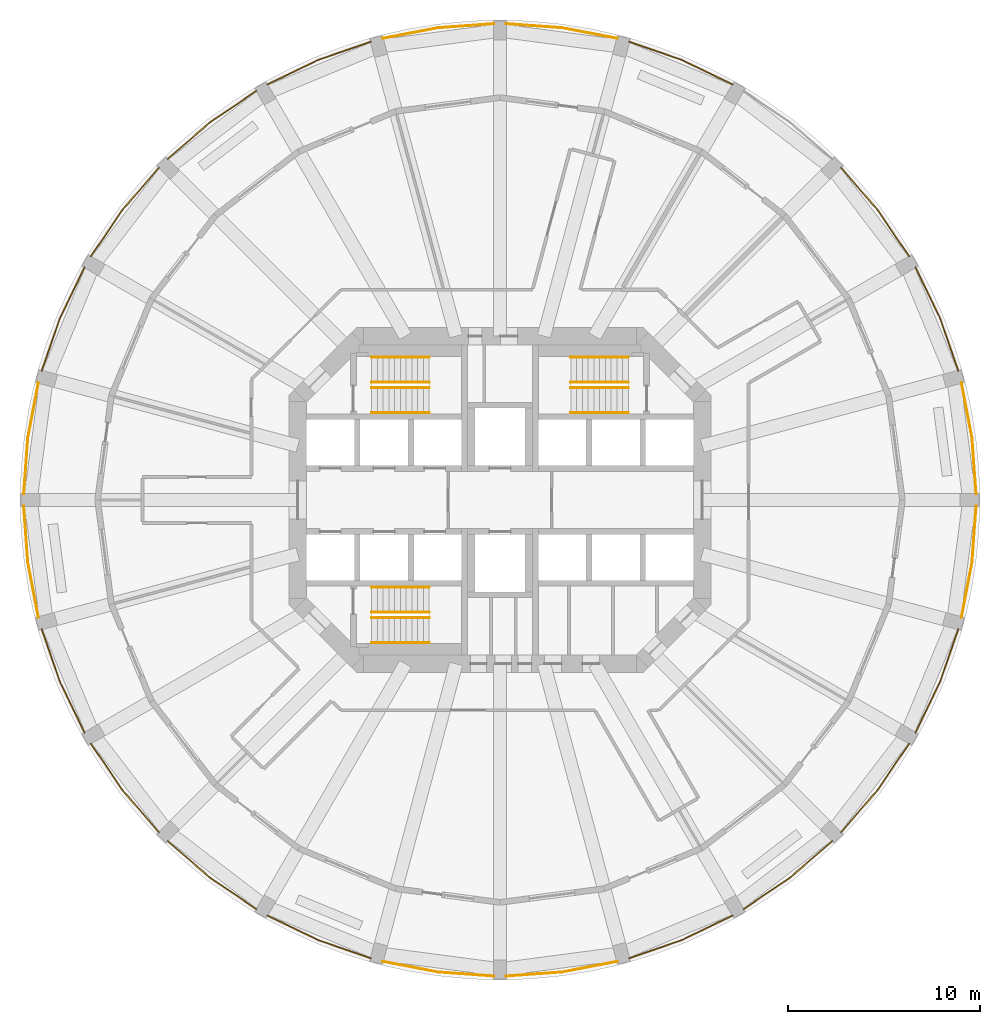
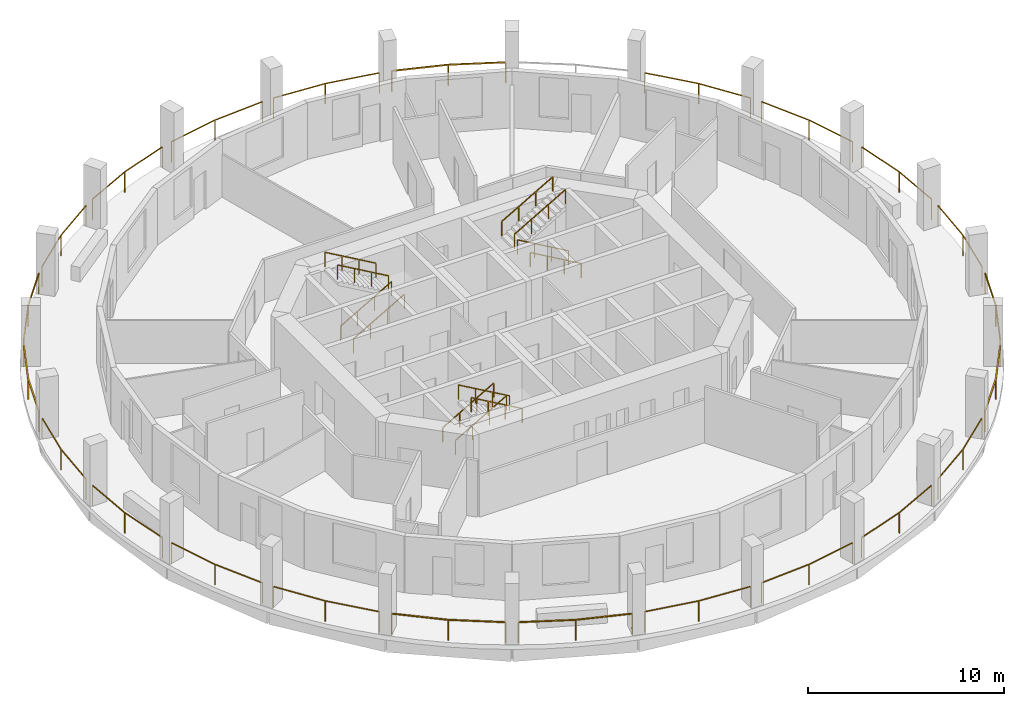
# One storey, part 7 of 8: 35 railings.
"""IFC4 building model written with IfcOpenShell, lengths in metres."""

from ifc_helpers import new_model, si_unit, direction, frame, origin, origin_2d, place, context, subcontext, project, spatial, rectangle, extrude, material, type_object, element, save


model = new_model("IFC4")

# Units and contexts
model_context = context("Model", 3, precision=1e-05, world=origin(), true_north=direction((0.0, 1.0)))
body_context = subcontext(model_context, "Body", "Model", "MODEL_VIEW")
ifc_project = project(units=[si_unit("LENGTHUNIT", "METRE"), si_unit("AREAUNIT", "SQUARE_METRE"), si_unit("VOLUMEUNIT", "CUBIC_METRE"), si_unit("PLANEANGLEUNIT", "RADIAN"), si_unit("MASSUNIT", "GRAM", prefix="KILO")], contexts=[model_context])

# Site, building, storey
site_placement = place(None, origin())
site = spatial("IfcSite", under=ifc_project, at=site_placement, CompositionType="ELEMENT")
building_placement = place(site_placement, origin())
building = spatial("IfcBuilding", under=site, at=building_placement, Name="Torre Triforio", CompositionType="ELEMENT")
storey_placement = place(building_placement, frame((0.0, 0.0, 139.0)))
storey = spatial("IfcBuildingStorey", under=building, at=storey_placement, Name="L31", CompositionType="ELEMENT", Elevation=139.0)

# Railings
ifc_material = material(Name="Stainless steel AISI 316", Category="steel")
railing_type_1 = type_object("IfcRailingType", Name="HANDRAIL 920", PredefinedType="HANDRAIL", material=ifc_material)
for number, where, name in (
    (1, (-6.699951171875, 4.550048828125, 0.172607421875), "Handrail ST1"),
    (2, (-6.699951171875, 5.85009765625, 0.172607421875), "Handrail ST1"),
):
    element("IfcRailing", number, at=place(storey_placement, frame(where)), inside=storey, type_object=railing_type_1, Name=name, PredefinedType="HANDRAIL", context=body_context, shape_type="SweptSolid", body=[
        extrude(rectangle(XDim=0.048095703125, YDim=0.048095703125, at=origin_2d()), frame((0.0, 0.0, 0.89599609375), z_axis=(0.866619684472, 0.0, 0.498969260062), x_axis=(0.0, 1.0, 0.0)), (0.0, 0.0, 1.0), 3.461669921875),
        extrude(rectangle(XDim=0.0419921875, YDim=0.0419921875, at=origin_2d()), origin(), (0.0, 0.0, 1.0), 0.871826171875),
        extrude(rectangle(XDim=0.0419921875, YDim=0.0419921875, at=origin_2d()), frame((1.0, 0.0, 0.57568359375)), (0.0, 0.0, 1.0), 0.871826171875),
        extrude(rectangle(XDim=0.0419921875, YDim=0.0419921875, at=origin_2d()), frame((2.0, 0.0, 1.151611328125)), (0.0, 0.0, 1.0), 0.871826171875),
        extrude(rectangle(XDim=0.0419921875, YDim=0.0419921875, at=origin_2d()), frame((3.0, 0.0, 1.727294921875)), (0.0, 0.0, 1.0), 0.871826171875),
    ])
for number, where, name in (
    (3, (-3.699951171875, 7.449951171875, 2.07275390625), "Handrail ST1"),
    (4, (-3.699951171875, 6.14990234375, 2.07275390625), "Handrail ST1"),
    (5, (6.699951171875, 4.550048828125, 0.172607421875), "Handrail ST2"),
    (6, (6.699951171875, 5.85009765625, 0.172607421875), "Handrail ST2"),
):
    element("IfcRailing", number, at=place(storey_placement, frame(where)), inside=storey, type_object=railing_type_1, Name=name, PredefinedType="HANDRAIL", context=body_context, shape_type="SweptSolid", body=[
        extrude(rectangle(XDim=0.048095703125, YDim=0.048095703125, at=origin_2d()), frame((0.0, 0.0, 0.89599609375), z_axis=(-0.866619684472, 0.0, 0.498969260062), x_axis=(0.0, -1.0, 0.0)), (0.0, 0.0, 1.0), 3.461669921875),
        extrude(rectangle(XDim=0.0419921875, YDim=0.0419921875, at=origin_2d()), origin(), (0.0, 0.0, 1.0), 0.871826171875),
        extrude(rectangle(XDim=0.0419921875, YDim=0.0419921875, at=origin_2d()), frame((-1.0, 0.0, 0.57568359375)), (0.0, 0.0, 1.0), 0.871826171875),
        extrude(rectangle(XDim=0.0419921875, YDim=0.0419921875, at=origin_2d()), frame((-2.0, 0.0, 1.151611328125)), (0.0, 0.0, 1.0), 0.871826171875),
        extrude(rectangle(XDim=0.0419921875, YDim=0.0419921875, at=origin_2d()), frame((-3.0, 0.0, 1.727294921875)), (0.0, 0.0, 1.0), 0.871826171875),
    ])
for number, where, name in (
    (7, (3.699951171875, 7.449951171875, 2.07275390625), "Handrail ST2"),
    (8, (3.699951171875, 6.14990234375, 2.07275390625), "Handrail ST2"),
    (9, (-6.699951171875, -4.550048828125, 0.172607421875), "Handrail ST3"),
    (10, (-6.699951171875, -5.85009765625, 0.172607421875), "Handrail ST3"),
):
    element("IfcRailing", number, at=place(storey_placement, frame(where)), inside=storey, type_object=railing_type_1, Name=name, PredefinedType="HANDRAIL", context=body_context, shape_type="SweptSolid", body=[
        extrude(rectangle(XDim=0.048095703125, YDim=0.048095703125, at=origin_2d()), frame((0.0, 0.0, 0.89599609375), z_axis=(0.866619684472, 0.0, 0.498969260062), x_axis=(0.0, 1.0, 0.0)), (0.0, 0.0, 1.0), 3.461669921875),
        extrude(rectangle(XDim=0.0419921875, YDim=0.0419921875, at=origin_2d()), origin(), (0.0, 0.0, 1.0), 0.871826171875),
        extrude(rectangle(XDim=0.0419921875, YDim=0.0419921875, at=origin_2d()), frame((1.0, 0.0, 0.57568359375)), (0.0, 0.0, 1.0), 0.871826171875),
        extrude(rectangle(XDim=0.0419921875, YDim=0.0419921875, at=origin_2d()), frame((2.0, 0.0, 1.151611328125)), (0.0, 0.0, 1.0), 0.871826171875),
        extrude(rectangle(XDim=0.0419921875, YDim=0.0419921875, at=origin_2d()), frame((3.0, 0.0, 1.727294921875)), (0.0, 0.0, 1.0), 0.871826171875),
    ])
for number, where, name in (
    (11, (-3.699951171875, -7.449951171875, 2.07275390625), "Handrail ST3"),
    (12, (-3.699951171875, -6.14990234375, 2.07275390625), "Handrail ST3"),
):
    element("IfcRailing", number, at=place(storey_placement, frame(where)), inside=storey, type_object=railing_type_1, Name=name, PredefinedType="HANDRAIL", context=body_context, shape_type="SweptSolid", body=[
        extrude(rectangle(XDim=0.048095703125, YDim=0.048095703125, at=origin_2d()), frame((0.0, 0.0, 0.89599609375), z_axis=(-0.866619684472, 0.0, 0.498969260062), x_axis=(0.0, -1.0, 0.0)), (0.0, 0.0, 1.0), 3.461669921875),
        extrude(rectangle(XDim=0.0419921875, YDim=0.0419921875, at=origin_2d()), origin(), (0.0, 0.0, 1.0), 0.871826171875),
        extrude(rectangle(XDim=0.0419921875, YDim=0.0419921875, at=origin_2d()), frame((-1.0, 0.0, 0.57568359375)), (0.0, 0.0, 1.0), 0.871826171875),
        extrude(rectangle(XDim=0.0419921875, YDim=0.0419921875, at=origin_2d()), frame((-2.0, 0.0, 1.151611328125)), (0.0, 0.0, 1.0), 0.871826171875),
        extrude(rectangle(XDim=0.0419921875, YDim=0.0419921875, at=origin_2d()), frame((-3.0, 0.0, 1.727294921875)), (0.0, 0.0, 1.0), 0.871826171875),
    ])
railing_type_2 = type_object("IfcRailingType", Name="Loggia guard 1300", PredefinedType="GUARDRAIL", material=ifc_material)
railing_1_placement = place(storey_placement, frame((24.85009765625, 0.320068359375, 0.0)))
element("IfcRailing", 13, at=railing_1_placement, inside=storey, type_object=railing_type_2, Name="Loggia guard L31 bay 01", PredefinedType="GUARDRAIL", context=body_context, shape_type="SweptSolid", body=[
    extrude(rectangle(XDim=0.050048828125, YDim=0.050048828125, at=origin_2d()), frame((0.0, 0.0, 1.27490234375), z_axis=(-0.072543227511, 0.997365269168, 0.0), x_axis=(-0.997365269168, -0.072543227511, 0.0)), (0.0, 0.0, 1.0), 2.931396484375),
    extrude(rectangle(XDim=0.050048828125, YDim=0.050048828125, at=origin_2d()), frame((-0.212646484375, 2.923583984375, 1.27490234375), z_axis=(-0.188068851895, 0.982155846568, 0.0), x_axis=(-0.982155846568, -0.188068851895, 0.0)), (0.0, 0.0, 1.0), 2.93115234375),
    extrude(rectangle(XDim=0.0400390625, YDim=0.0400390625, at=origin_2d()), origin(), (0.0, 0.0, 1.0), 1.25),
    extrude(rectangle(XDim=0.0400390625, YDim=0.0400390625, at=origin_2d()), frame((-0.212646484375, 2.923583984375, 0.0)), (0.0, 0.0, 1.0), 1.25),
    extrude(rectangle(XDim=0.0400390625, YDim=0.0400390625, at=origin_2d()), frame((-0.763916015625, 5.802490234375, 0.0)), (0.0, 0.0, 1.0), 1.25),
])
railing_2_placement = place(storey_placement, frame((23.92041015625, 6.74072265625, 0.0)))
element("IfcRailing", 14, at=railing_2_placement, inside=storey, type_object=railing_type_2, Name="Loggia guard L31 bay 02", PredefinedType="GUARDRAIL", context=body_context, shape_type="SweptSolid", body=[
    extrude(rectangle(XDim=0.050048828125, YDim=0.050048828125, at=origin_2d()), frame((0.0, 0.0, 1.27490234375), z_axis=(-0.328145883403, 0.944627058264, 0.0), x_axis=(-0.944627058264, -0.328145883403, 0.0)), (0.0, 0.0, 1.0), 2.931396484375),
    extrude(rectangle(XDim=0.050048828125, YDim=0.050048828125, at=origin_2d()), frame((-0.9619140625, 2.76904296875, 1.27490234375), z_axis=(-0.435917913275, 0.899986429279, 0.0), x_axis=(-0.899986429279, -0.435917913275, 0.0)), (0.0, 0.0, 1.0), 2.931396484375),
    extrude(rectangle(XDim=0.0400390625, YDim=0.0400390625, at=origin_2d()), origin(), (0.0, 0.0, 1.0), 1.25),
    extrude(rectangle(XDim=0.0400390625, YDim=0.0400390625, at=origin_2d()), frame((-0.9619140625, 2.76904296875, 0.0)), (0.0, 0.0, 1.0), 1.25),
    extrude(rectangle(XDim=0.0400390625, YDim=0.0400390625, at=origin_2d()), frame((-2.23974609375, 5.4072265625, 0.0)), (0.0, 0.0, 1.0), 1.25),
])
railing_3_placement = place(storey_placement, frame((21.360595703125, 12.7021484375, 0.0)))
element("IfcRailing", 15, at=railing_3_placement, inside=storey, type_object=railing_type_2, Name="Loggia guard L31 bay 03", PredefinedType="GUARDRAIL", context=body_context, shape_type="SweptSolid", body=[
    extrude(rectangle(XDim=0.050048828125, YDim=0.050048828125, at=origin_2d()), frame((0.0, 0.0, 1.27490234375), z_axis=(-0.561466791934, 0.827499269821, 0.0), x_axis=(-0.827499269821, -0.561466791934, 0.0)), (0.0, 0.0, 1.0), 2.93115234375),
    extrude(rectangle(XDim=0.050048828125, YDim=0.050048828125, at=origin_2d()), frame((-1.645751953125, 2.425537109375, 1.27490234375), z_axis=(-0.653981928353, 0.756510170049, 0.0), x_axis=(-0.756510170049, -0.653981928353, 0.0)), (0.0, 0.0, 1.0), 2.93115234375),
    extrude(rectangle(XDim=0.0400390625, YDim=0.0400390625, at=origin_2d()), origin(), (0.0, 0.0, 1.0), 1.25),
    extrude(rectangle(XDim=0.0400390625, YDim=0.0400390625, at=origin_2d()), frame((-1.645751953125, 2.425537109375, 0.0)), (0.0, 0.0, 1.0), 1.25),
    extrude(rectangle(XDim=0.0400390625, YDim=0.0400390625, at=origin_2d()), frame((-3.562744140625, 4.64306640625, 0.0)), (0.0, 0.0, 1.0), 1.25),
])
railing_4_placement = place(storey_placement, frame((12.14794921875, 21.6806640625, 0.0)))
element("IfcRailing", 16, at=railing_4_placement, inside=storey, type_object=railing_type_2, Name="Loggia guard L31 bay 05", PredefinedType="GUARDRAIL", context=body_context, shape_type="SweptSolid", body=[
    extrude(rectangle(XDim=0.050048828125, YDim=0.050048828125, at=origin_2d()), frame((0.0, 0.0, 1.27490234375), z_axis=(-0.899986429279, 0.435917913275, 0.0), x_axis=(-0.435917913275, -0.899986429279, 0.0)), (0.0, 0.0, 1.0), 2.931396484375),
    extrude(rectangle(XDim=0.050048828125, YDim=0.050048828125, at=origin_2d()), frame((-2.63818359375, 1.27783203125, 1.27490234375), z_axis=(-0.944627058264, 0.328145883403, 0.0), x_axis=(-0.328145883403, -0.944627058264, 0.0)), (0.0, 0.0, 1.0), 2.931396484375),
    extrude(rectangle(XDim=0.0400390625, YDim=0.0400390625, at=origin_2d()), origin(), (0.0, 0.0, 1.0), 1.25),
    extrude(rectangle(XDim=0.0400390625, YDim=0.0400390625, at=origin_2d()), frame((-2.63818359375, 1.27783203125, 0.0)), (0.0, 0.0, 1.0), 1.25),
    extrude(rectangle(XDim=0.0400390625, YDim=0.0400390625, at=origin_2d()), frame((-5.4072265625, 2.23974609375, 0.0)), (0.0, 0.0, 1.0), 1.25),
])
railing_5_placement = place(storey_placement, frame((6.12255859375, 24.086181640625, 0.0)))
element("IfcRailing", 17, at=railing_5_placement, inside=storey, type_object=railing_type_2, Name="Loggia guard L31 bay 06", PredefinedType="GUARDRAIL", context=body_context, shape_type="SweptSolid", body=[
    extrude(rectangle(XDim=0.050048828125, YDim=0.050048828125, at=origin_2d()), frame((0.0, 0.0, 1.27490234375), z_axis=(-0.982155846568, 0.188068851895, 0.0), x_axis=(-0.188068851895, -0.982155846568, 0.0)), (0.0, 0.0, 1.0), 2.93115234375),
    extrude(rectangle(XDim=0.050048828125, YDim=0.050048828125, at=origin_2d()), frame((-2.87890625, 0.55126953125, 1.27490234375), z_axis=(-0.997365269168, 0.072543227511, 0.0), x_axis=(-0.072543227511, -0.997365269168, 0.0)), (0.0, 0.0, 1.0), 2.931396484375),
    extrude(rectangle(XDim=0.0400390625, YDim=0.0400390625, at=origin_2d()), origin(), (0.0, 0.0, 1.0), 1.25),
    extrude(rectangle(XDim=0.0400390625, YDim=0.0400390625, at=origin_2d()), frame((-2.87890625, 0.55126953125, 0.0)), (0.0, 0.0, 1.0), 1.25),
    extrude(rectangle(XDim=0.0400390625, YDim=0.0400390625, at=origin_2d()), frame((-5.802490234375, 0.763916015625, 0.0)), (0.0, 0.0, 1.0), 1.25),
])
railing_6_placement = place(storey_placement, frame((-0.320068359375, 24.85009765625, 0.0)))
element("IfcRailing", 18, at=railing_6_placement, inside=storey, type_object=railing_type_2, Name="Loggia guard L31 bay 07", PredefinedType="GUARDRAIL", context=body_context, shape_type="SweptSolid", body=[
    extrude(rectangle(XDim=0.050048828125, YDim=0.050048828125, at=origin_2d()), frame((0.0, 0.0, 1.27490234375), z_axis=(-0.997365269168, -0.072543227511, 0.0), x_axis=(0.072543227511, -0.997365269168, 0.0)), (0.0, 0.0, 1.0), 2.931396484375),
    extrude(rectangle(XDim=0.050048828125, YDim=0.050048828125, at=origin_2d()), frame((-2.923583984375, -0.212646484375, 1.27490234375), z_axis=(-0.982155846568, -0.188068851895, 0.0), x_axis=(0.188068851895, -0.982155846568, 0.0)), (0.0, 0.0, 1.0), 2.93115234375),
    extrude(rectangle(XDim=0.0400390625, YDim=0.0400390625, at=origin_2d()), origin(), (0.0, 0.0, 1.0), 1.25),
    extrude(rectangle(XDim=0.0400390625, YDim=0.0400390625, at=origin_2d()), frame((-2.923583984375, -0.212646484375, 0.0)), (0.0, 0.0, 1.0), 1.25),
    extrude(rectangle(XDim=0.0400390625, YDim=0.0400390625, at=origin_2d()), frame((-5.802490234375, -0.763916015625, 0.0)), (0.0, 0.0, 1.0), 1.25),
])
railing_7_placement = place(storey_placement, frame((-6.74072265625, 23.92041015625, 0.0)))
element("IfcRailing", 19, at=railing_7_placement, inside=storey, type_object=railing_type_2, Name="Loggia guard L31 bay 08", PredefinedType="GUARDRAIL", context=body_context, shape_type="SweptSolid", body=[
    extrude(rectangle(XDim=0.050048828125, YDim=0.050048828125, at=origin_2d()), frame((0.0, 0.0, 1.27490234375), z_axis=(-0.944627058264, -0.328145883403, 0.0), x_axis=(0.328145883403, -0.944627058264, 0.0)), (0.0, 0.0, 1.0), 2.931396484375),
    extrude(rectangle(XDim=0.050048828125, YDim=0.050048828125, at=origin_2d()), frame((-2.76904296875, -0.9619140625, 1.27490234375), z_axis=(-0.899986429279, -0.435917913275, 0.0), x_axis=(0.435917913275, -0.899986429279, 0.0)), (0.0, 0.0, 1.0), 2.931396484375),
    extrude(rectangle(XDim=0.0400390625, YDim=0.0400390625, at=origin_2d()), origin(), (0.0, 0.0, 1.0), 1.25),
    extrude(rectangle(XDim=0.0400390625, YDim=0.0400390625, at=origin_2d()), frame((-2.76904296875, -0.9619140625, 0.0)), (0.0, 0.0, 1.0), 1.25),
    extrude(rectangle(XDim=0.0400390625, YDim=0.0400390625, at=origin_2d()), frame((-5.4072265625, -2.23974609375, 0.0)), (0.0, 0.0, 1.0), 1.25),
])
railing_8_placement = place(storey_placement, frame((-12.7021484375, 21.360595703125, 0.0)))
element("IfcRailing", 20, at=railing_8_placement, inside=storey, type_object=railing_type_2, Name="Loggia guard L31 bay 09", PredefinedType="GUARDRAIL", context=body_context, shape_type="SweptSolid", body=[
    extrude(rectangle(XDim=0.050048828125, YDim=0.050048828125, at=origin_2d()), frame((0.0, 0.0, 1.27490234375), z_axis=(-0.827499269821, -0.561466791934, 0.0), x_axis=(0.561466791934, -0.827499269821, 0.0)), (0.0, 0.0, 1.0), 2.93115234375),
    extrude(rectangle(XDim=0.050048828125, YDim=0.050048828125, at=origin_2d()), frame((-2.425537109375, -1.645751953125, 1.27490234375), z_axis=(-0.756510170049, -0.653981928353, 0.0), x_axis=(0.653981928353, -0.756510170049, 0.0)), (0.0, 0.0, 1.0), 2.93115234375),
    extrude(rectangle(XDim=0.0400390625, YDim=0.0400390625, at=origin_2d()), origin(), (0.0, 0.0, 1.0), 1.25),
    extrude(rectangle(XDim=0.0400390625, YDim=0.0400390625, at=origin_2d()), frame((-2.425537109375, -1.645751953125, 0.0)), (0.0, 0.0, 1.0), 1.25),
    extrude(rectangle(XDim=0.0400390625, YDim=0.0400390625, at=origin_2d()), frame((-4.64306640625, -3.562744140625, 0.0)), (0.0, 0.0, 1.0), 1.25),
])
railing_9_placement = place(storey_placement, frame((-17.7978515625, 17.34521484375, 0.0)))
element("IfcRailing", 21, at=railing_9_placement, inside=storey, type_object=railing_type_2, Name="Loggia guard L31 bay 10", PredefinedType="GUARDRAIL", context=body_context, shape_type="SweptSolid", body=[
    extrude(rectangle(XDim=0.050048828125, YDim=0.050048828125, at=origin_2d()), frame((0.0, 0.0, 1.27490234375), z_axis=(-0.653981928353, -0.756510170049, 0.0), x_axis=(0.756510170049, -0.653981928353, 0.0)), (0.0, 0.0, 1.0), 2.93115234375),
    extrude(rectangle(XDim=0.050048828125, YDim=0.050048828125, at=origin_2d()), frame((-1.9169921875, -2.217529296875, 1.27490234375), z_axis=(-0.561466791934, -0.827499269821, 0.0), x_axis=(0.827499269821, -0.561466791934, 0.0)), (0.0, 0.0, 1.0), 2.93115234375),
    extrude(rectangle(XDim=0.0400390625, YDim=0.0400390625, at=origin_2d()), origin(), (0.0, 0.0, 1.0), 1.25),
    extrude(rectangle(XDim=0.0400390625, YDim=0.0400390625, at=origin_2d()), frame((-1.9169921875, -2.217529296875, 0.0)), (0.0, 0.0, 1.0), 1.25),
    extrude(rectangle(XDim=0.0400390625, YDim=0.0400390625, at=origin_2d()), frame((-3.562744140625, -4.64306640625, 0.0)), (0.0, 0.0, 1.0), 1.25),
])
railing_10_placement = place(storey_placement, frame((-21.6806640625, 12.14794921875, 0.0)))
element("IfcRailing", 22, at=railing_10_placement, inside=storey, type_object=railing_type_2, Name="Loggia guard L31 bay 11", PredefinedType="GUARDRAIL", context=body_context, shape_type="SweptSolid", body=[
    extrude(rectangle(XDim=0.050048828125, YDim=0.050048828125, at=origin_2d()), frame((0.0, 0.0, 1.27490234375), z_axis=(-0.435917913275, -0.899986429279, 0.0), x_axis=(0.899986429279, -0.435917913275, 0.0)), (0.0, 0.0, 1.0), 2.931396484375),
    extrude(rectangle(XDim=0.050048828125, YDim=0.050048828125, at=origin_2d()), frame((-1.27783203125, -2.63818359375, 1.27490234375), z_axis=(-0.328145883403, -0.944627058264, 0.0), x_axis=(0.944627058264, -0.328145883403, 0.0)), (0.0, 0.0, 1.0), 2.931396484375),
    extrude(rectangle(XDim=0.0400390625, YDim=0.0400390625, at=origin_2d()), origin(), (0.0, 0.0, 1.0), 1.25),
    extrude(rectangle(XDim=0.0400390625, YDim=0.0400390625, at=origin_2d()), frame((-1.27783203125, -2.63818359375, 0.0)), (0.0, 0.0, 1.0), 1.25),
    extrude(rectangle(XDim=0.0400390625, YDim=0.0400390625, at=origin_2d()), frame((-2.23974609375, -5.4072265625, 0.0)), (0.0, 0.0, 1.0), 1.25),
])
railing_11_placement = place(storey_placement, frame((-24.086181640625, 6.12255859375, 0.0)))
element("IfcRailing", 23, at=railing_11_placement, inside=storey, type_object=railing_type_2, Name="Loggia guard L31 bay 12", PredefinedType="GUARDRAIL", context=body_context, shape_type="SweptSolid", body=[
    extrude(rectangle(XDim=0.050048828125, YDim=0.050048828125, at=origin_2d()), frame((0.0, 0.0, 1.27490234375), z_axis=(-0.188068851895, -0.982155846568, 0.0), x_axis=(0.982155846568, -0.188068851895, 0.0)), (0.0, 0.0, 1.0), 2.93115234375),
    extrude(rectangle(XDim=0.050048828125, YDim=0.050048828125, at=origin_2d()), frame((-0.55126953125, -2.87890625, 1.27490234375), z_axis=(-0.072543227511, -0.997365269168, 0.0), x_axis=(0.997365269168, -0.072543227511, 0.0)), (0.0, 0.0, 1.0), 2.931396484375),
    extrude(rectangle(XDim=0.0400390625, YDim=0.0400390625, at=origin_2d()), origin(), (0.0, 0.0, 1.0), 1.25),
    extrude(rectangle(XDim=0.0400390625, YDim=0.0400390625, at=origin_2d()), frame((-0.55126953125, -2.87890625, 0.0)), (0.0, 0.0, 1.0), 1.25),
    extrude(rectangle(XDim=0.0400390625, YDim=0.0400390625, at=origin_2d()), frame((-0.763916015625, -5.802490234375, 0.0)), (0.0, 0.0, 1.0), 1.25),
])
railing_12_placement = place(storey_placement, frame((-24.85009765625, -0.320068359375, 0.0)))
element("IfcRailing", 24, at=railing_12_placement, inside=storey, type_object=railing_type_2, Name="Loggia guard L31 bay 13", PredefinedType="GUARDRAIL", context=body_context, shape_type="SweptSolid", body=[
    extrude(rectangle(XDim=0.050048828125, YDim=0.050048828125, at=origin_2d()), frame((0.0, 0.0, 1.27490234375), z_axis=(0.072543227511, -0.997365269168, 0.0), x_axis=(0.997365269168, 0.072543227511, 0.0)), (0.0, 0.0, 1.0), 2.931396484375),
    extrude(rectangle(XDim=0.050048828125, YDim=0.050048828125, at=origin_2d()), frame((0.212646484375, -2.923583984375, 1.27490234375), z_axis=(0.188068851895, -0.982155846568, 0.0), x_axis=(0.982155846568, 0.188068851895, 0.0)), (0.0, 0.0, 1.0), 2.93115234375),
    extrude(rectangle(XDim=0.0400390625, YDim=0.0400390625, at=origin_2d()), origin(), (0.0, 0.0, 1.0), 1.25),
    extrude(rectangle(XDim=0.0400390625, YDim=0.0400390625, at=origin_2d()), frame((0.212646484375, -2.923583984375, 0.0)), (0.0, 0.0, 1.0), 1.25),
    extrude(rectangle(XDim=0.0400390625, YDim=0.0400390625, at=origin_2d()), frame((0.763916015625, -5.802490234375, 0.0)), (0.0, 0.0, 1.0), 1.25),
])
railing_13_placement = place(storey_placement, frame((-23.92041015625, -6.74072265625, 0.0)))
element("IfcRailing", 25, at=railing_13_placement, inside=storey, type_object=railing_type_2, Name="Loggia guard L31 bay 14", PredefinedType="GUARDRAIL", context=body_context, shape_type="SweptSolid", body=[
    extrude(rectangle(XDim=0.050048828125, YDim=0.050048828125, at=origin_2d()), frame((0.0, 0.0, 1.27490234375), z_axis=(0.328145883403, -0.944627058264, 0.0), x_axis=(0.944627058264, 0.328145883403, 0.0)), (0.0, 0.0, 1.0), 2.931396484375),
    extrude(rectangle(XDim=0.050048828125, YDim=0.050048828125, at=origin_2d()), frame((0.9619140625, -2.76904296875, 1.27490234375), z_axis=(0.435917913275, -0.899986429279, 0.0), x_axis=(0.899986429279, 0.435917913275, 0.0)), (0.0, 0.0, 1.0), 2.931396484375),
    extrude(rectangle(XDim=0.0400390625, YDim=0.0400390625, at=origin_2d()), origin(), (0.0, 0.0, 1.0), 1.25),
    extrude(rectangle(XDim=0.0400390625, YDim=0.0400390625, at=origin_2d()), frame((0.9619140625, -2.76904296875, 0.0)), (0.0, 0.0, 1.0), 1.25),
    extrude(rectangle(XDim=0.0400390625, YDim=0.0400390625, at=origin_2d()), frame((2.23974609375, -5.4072265625, 0.0)), (0.0, 0.0, 1.0), 1.25),
])
railing_14_placement = place(storey_placement, frame((-21.360595703125, -12.7021484375, 0.0)))
element("IfcRailing", 26, at=railing_14_placement, inside=storey, type_object=railing_type_2, Name="Loggia guard L31 bay 15", PredefinedType="GUARDRAIL", context=body_context, shape_type="SweptSolid", body=[
    extrude(rectangle(XDim=0.050048828125, YDim=0.050048828125, at=origin_2d()), frame((0.0, 0.0, 1.27490234375), z_axis=(0.561466791934, -0.827499269821, 0.0), x_axis=(0.827499269821, 0.561466791934, 0.0)), (0.0, 0.0, 1.0), 2.93115234375),
    extrude(rectangle(XDim=0.050048828125, YDim=0.050048828125, at=origin_2d()), frame((1.645751953125, -2.425537109375, 1.27490234375), z_axis=(0.653981928353, -0.756510170049, 0.0), x_axis=(0.756510170049, 0.653981928353, 0.0)), (0.0, 0.0, 1.0), 2.93115234375),
    extrude(rectangle(XDim=0.0400390625, YDim=0.0400390625, at=origin_2d()), origin(), (0.0, 0.0, 1.0), 1.25),
    extrude(rectangle(XDim=0.0400390625, YDim=0.0400390625, at=origin_2d()), frame((1.645751953125, -2.425537109375, 0.0)), (0.0, 0.0, 1.0), 1.25),
    extrude(rectangle(XDim=0.0400390625, YDim=0.0400390625, at=origin_2d()), frame((3.562744140625, -4.64306640625, 0.0)), (0.0, 0.0, 1.0), 1.25),
])
railing_15_placement = place(storey_placement, frame((-17.34521484375, -17.7978515625, 0.0)))
element("IfcRailing", 27, at=railing_15_placement, inside=storey, type_object=railing_type_2, Name="Loggia guard L31 bay 16", PredefinedType="GUARDRAIL", context=body_context, shape_type="SweptSolid", body=[
    extrude(rectangle(XDim=0.050048828125, YDim=0.050048828125, at=origin_2d()), frame((0.0, 0.0, 1.27490234375), z_axis=(0.756510170049, -0.653981928353, 0.0), x_axis=(0.653981928353, 0.756510170049, 0.0)), (0.0, 0.0, 1.0), 2.93115234375),
    extrude(rectangle(XDim=0.050048828125, YDim=0.050048828125, at=origin_2d()), frame((2.217529296875, -1.9169921875, 1.27490234375), z_axis=(0.827499269821, -0.561466791934, 0.0), x_axis=(0.561466791934, 0.827499269821, 0.0)), (0.0, 0.0, 1.0), 2.93115234375),
    extrude(rectangle(XDim=0.0400390625, YDim=0.0400390625, at=origin_2d()), origin(), (0.0, 0.0, 1.0), 1.25),
    extrude(rectangle(XDim=0.0400390625, YDim=0.0400390625, at=origin_2d()), frame((2.217529296875, -1.9169921875, 0.0)), (0.0, 0.0, 1.0), 1.25),
    extrude(rectangle(XDim=0.0400390625, YDim=0.0400390625, at=origin_2d()), frame((4.64306640625, -3.562744140625, 0.0)), (0.0, 0.0, 1.0), 1.25),
])
railing_16_placement = place(storey_placement, frame((-12.14794921875, -21.6806640625, 0.0)))
element("IfcRailing", 28, at=railing_16_placement, inside=storey, type_object=railing_type_2, Name="Loggia guard L31 bay 17", PredefinedType="GUARDRAIL", context=body_context, shape_type="SweptSolid", body=[
    extrude(rectangle(XDim=0.050048828125, YDim=0.050048828125, at=origin_2d()), frame((0.0, 0.0, 1.27490234375), z_axis=(0.899986429279, -0.435917913275, 0.0), x_axis=(0.435917913275, 0.899986429279, 0.0)), (0.0, 0.0, 1.0), 2.931396484375),
    extrude(rectangle(XDim=0.050048828125, YDim=0.050048828125, at=origin_2d()), frame((2.63818359375, -1.27783203125, 1.27490234375), z_axis=(0.944627058264, -0.328145883403, 0.0), x_axis=(0.328145883403, 0.944627058264, 0.0)), (0.0, 0.0, 1.0), 2.931396484375),
    extrude(rectangle(XDim=0.0400390625, YDim=0.0400390625, at=origin_2d()), origin(), (0.0, 0.0, 1.0), 1.25),
    extrude(rectangle(XDim=0.0400390625, YDim=0.0400390625, at=origin_2d()), frame((2.63818359375, -1.27783203125, 0.0)), (0.0, 0.0, 1.0), 1.25),
    extrude(rectangle(XDim=0.0400390625, YDim=0.0400390625, at=origin_2d()), frame((5.4072265625, -2.23974609375, 0.0)), (0.0, 0.0, 1.0), 1.25),
])
railing_17_placement = place(storey_placement, frame((-6.12255859375, -24.086181640625, 0.0)))
element("IfcRailing", 29, at=railing_17_placement, inside=storey, type_object=railing_type_2, Name="Loggia guard L31 bay 18", PredefinedType="GUARDRAIL", context=body_context, shape_type="SweptSolid", body=[
    extrude(rectangle(XDim=0.050048828125, YDim=0.050048828125, at=origin_2d()), frame((0.0, 0.0, 1.27490234375), z_axis=(0.982155846568, -0.188068851895, 0.0), x_axis=(0.188068851895, 0.982155846568, 0.0)), (0.0, 0.0, 1.0), 2.93115234375),
    extrude(rectangle(XDim=0.050048828125, YDim=0.050048828125, at=origin_2d()), frame((2.87890625, -0.55126953125, 1.27490234375), z_axis=(0.997365269168, -0.072543227511, 0.0), x_axis=(0.072543227511, 0.997365269168, 0.0)), (0.0, 0.0, 1.0), 2.931396484375),
    extrude(rectangle(XDim=0.0400390625, YDim=0.0400390625, at=origin_2d()), origin(), (0.0, 0.0, 1.0), 1.25),
    extrude(rectangle(XDim=0.0400390625, YDim=0.0400390625, at=origin_2d()), frame((2.87890625, -0.55126953125, 0.0)), (0.0, 0.0, 1.0), 1.25),
    extrude(rectangle(XDim=0.0400390625, YDim=0.0400390625, at=origin_2d()), frame((5.802490234375, -0.763916015625, 0.0)), (0.0, 0.0, 1.0), 1.25),
])
railing_18_placement = place(storey_placement, frame((0.320068359375, -24.85009765625, 0.0)))
element("IfcRailing", 30, at=railing_18_placement, inside=storey, type_object=railing_type_2, Name="Loggia guard L31 bay 19", PredefinedType="GUARDRAIL", context=body_context, shape_type="SweptSolid", body=[
    extrude(rectangle(XDim=0.050048828125, YDim=0.050048828125, at=origin_2d()), frame((0.0, 0.0, 1.27490234375), z_axis=(0.997365269168, 0.072543227511, 0.0), x_axis=(-0.072543227511, 0.997365269168, 0.0)), (0.0, 0.0, 1.0), 2.931396484375),
    extrude(rectangle(XDim=0.050048828125, YDim=0.050048828125, at=origin_2d()), frame((2.923583984375, 0.212646484375, 1.27490234375), z_axis=(0.982155846568, 0.188068851895, 0.0), x_axis=(-0.188068851895, 0.982155846568, 0.0)), (0.0, 0.0, 1.0), 2.93115234375),
    extrude(rectangle(XDim=0.0400390625, YDim=0.0400390625, at=origin_2d()), origin(), (0.0, 0.0, 1.0), 1.25),
    extrude(rectangle(XDim=0.0400390625, YDim=0.0400390625, at=origin_2d()), frame((2.923583984375, 0.212646484375, 0.0)), (0.0, 0.0, 1.0), 1.25),
    extrude(rectangle(XDim=0.0400390625, YDim=0.0400390625, at=origin_2d()), frame((5.802490234375, 0.763916015625, 0.0)), (0.0, 0.0, 1.0), 1.25),
])
railing_19_placement = place(storey_placement, frame((6.74072265625, -23.92041015625, 0.0)))
element("IfcRailing", 31, at=railing_19_placement, inside=storey, type_object=railing_type_2, Name="Loggia guard L31 bay 20", PredefinedType="GUARDRAIL", context=body_context, shape_type="SweptSolid", body=[
    extrude(rectangle(XDim=0.050048828125, YDim=0.050048828125, at=origin_2d()), frame((0.0, 0.0, 1.27490234375), z_axis=(0.944627058264, 0.328145883403, 0.0), x_axis=(-0.328145883403, 0.944627058264, 0.0)), (0.0, 0.0, 1.0), 2.931396484375),
    extrude(rectangle(XDim=0.050048828125, YDim=0.050048828125, at=origin_2d()), frame((2.76904296875, 0.9619140625, 1.27490234375), z_axis=(0.899986429279, 0.435917913275, 0.0), x_axis=(-0.435917913275, 0.899986429279, 0.0)), (0.0, 0.0, 1.0), 2.931396484375),
    extrude(rectangle(XDim=0.0400390625, YDim=0.0400390625, at=origin_2d()), origin(), (0.0, 0.0, 1.0), 1.25),
    extrude(rectangle(XDim=0.0400390625, YDim=0.0400390625, at=origin_2d()), frame((2.76904296875, 0.9619140625, 0.0)), (0.0, 0.0, 1.0), 1.25),
    extrude(rectangle(XDim=0.0400390625, YDim=0.0400390625, at=origin_2d()), frame((5.4072265625, 2.23974609375, 0.0)), (0.0, 0.0, 1.0), 1.25),
])
railing_20_placement = place(storey_placement, frame((12.7021484375, -21.360595703125, 0.0)))
element("IfcRailing", 32, at=railing_20_placement, inside=storey, type_object=railing_type_2, Name="Loggia guard L31 bay 21", PredefinedType="GUARDRAIL", context=body_context, shape_type="SweptSolid", body=[
    extrude(rectangle(XDim=0.050048828125, YDim=0.050048828125, at=origin_2d()), frame((0.0, 0.0, 1.27490234375), z_axis=(0.827499269821, 0.561466791934, 0.0), x_axis=(-0.561466791934, 0.827499269821, 0.0)), (0.0, 0.0, 1.0), 2.93115234375),
    extrude(rectangle(XDim=0.050048828125, YDim=0.050048828125, at=origin_2d()), frame((2.425537109375, 1.645751953125, 1.27490234375), z_axis=(0.756510170049, 0.653981928353, 0.0), x_axis=(-0.653981928353, 0.756510170049, 0.0)), (0.0, 0.0, 1.0), 2.93115234375),
    extrude(rectangle(XDim=0.0400390625, YDim=0.0400390625, at=origin_2d()), origin(), (0.0, 0.0, 1.0), 1.25),
    extrude(rectangle(XDim=0.0400390625, YDim=0.0400390625, at=origin_2d()), frame((2.425537109375, 1.645751953125, 0.0)), (0.0, 0.0, 1.0), 1.25),
    extrude(rectangle(XDim=0.0400390625, YDim=0.0400390625, at=origin_2d()), frame((4.64306640625, 3.562744140625, 0.0)), (0.0, 0.0, 1.0), 1.25),
])
railing_21_placement = place(storey_placement, frame((17.7978515625, -17.34521484375, 0.0)))
element("IfcRailing", 33, at=railing_21_placement, inside=storey, type_object=railing_type_2, Name="Loggia guard L31 bay 22", PredefinedType="GUARDRAIL", context=body_context, shape_type="SweptSolid", body=[
    extrude(rectangle(XDim=0.050048828125, YDim=0.050048828125, at=origin_2d()), frame((0.0, 0.0, 1.27490234375), z_axis=(0.653981928353, 0.756510170049, 0.0), x_axis=(-0.756510170049, 0.653981928353, 0.0)), (0.0, 0.0, 1.0), 2.93115234375),
    extrude(rectangle(XDim=0.050048828125, YDim=0.050048828125, at=origin_2d()), frame((1.9169921875, 2.217529296875, 1.27490234375), z_axis=(0.561466791934, 0.827499269821, 0.0), x_axis=(-0.827499269821, 0.561466791934, 0.0)), (0.0, 0.0, 1.0), 2.93115234375),
    extrude(rectangle(XDim=0.0400390625, YDim=0.0400390625, at=origin_2d()), origin(), (0.0, 0.0, 1.0), 1.25),
    extrude(rectangle(XDim=0.0400390625, YDim=0.0400390625, at=origin_2d()), frame((1.9169921875, 2.217529296875, 0.0)), (0.0, 0.0, 1.0), 1.25),
    extrude(rectangle(XDim=0.0400390625, YDim=0.0400390625, at=origin_2d()), frame((3.562744140625, 4.64306640625, 0.0)), (0.0, 0.0, 1.0), 1.25),
])
railing_22_placement = place(storey_placement, frame((21.6806640625, -12.14794921875, 0.0)))
element("IfcRailing", 34, at=railing_22_placement, inside=storey, type_object=railing_type_2, Name="Loggia guard L31 bay 23", PredefinedType="GUARDRAIL", context=body_context, shape_type="SweptSolid", body=[
    extrude(rectangle(XDim=0.050048828125, YDim=0.050048828125, at=origin_2d()), frame((0.0, 0.0, 1.27490234375), z_axis=(0.435917913275, 0.899986429279, 0.0), x_axis=(-0.899986429279, 0.435917913275, 0.0)), (0.0, 0.0, 1.0), 2.931396484375),
    extrude(rectangle(XDim=0.050048828125, YDim=0.050048828125, at=origin_2d()), frame((1.27783203125, 2.63818359375, 1.27490234375), z_axis=(0.328145883403, 0.944627058264, 0.0), x_axis=(-0.944627058264, 0.328145883403, 0.0)), (0.0, 0.0, 1.0), 2.931396484375),
    extrude(rectangle(XDim=0.0400390625, YDim=0.0400390625, at=origin_2d()), origin(), (0.0, 0.0, 1.0), 1.25),
    extrude(rectangle(XDim=0.0400390625, YDim=0.0400390625, at=origin_2d()), frame((1.27783203125, 2.63818359375, 0.0)), (0.0, 0.0, 1.0), 1.25),
    extrude(rectangle(XDim=0.0400390625, YDim=0.0400390625, at=origin_2d()), frame((2.23974609375, 5.4072265625, 0.0)), (0.0, 0.0, 1.0), 1.25),
])
railing_23_placement = place(storey_placement, frame((24.086181640625, -6.12255859375, 0.0)))
element("IfcRailing", 35, at=railing_23_placement, inside=storey, type_object=railing_type_2, Name="Loggia guard L31 bay 24", PredefinedType="GUARDRAIL", context=body_context, shape_type="SweptSolid", body=[
    extrude(rectangle(XDim=0.050048828125, YDim=0.050048828125, at=origin_2d()), frame((0.0, 0.0, 1.27490234375), z_axis=(0.188068851895, 0.982155846568, 0.0), x_axis=(-0.982155846568, 0.188068851895, 0.0)), (0.0, 0.0, 1.0), 2.93115234375),
    extrude(rectangle(XDim=0.050048828125, YDim=0.050048828125, at=origin_2d()), frame((0.55126953125, 2.87890625, 1.27490234375), z_axis=(0.072543227511, 0.997365269168, 0.0), x_axis=(-0.997365269168, 0.072543227511, 0.0)), (0.0, 0.0, 1.0), 2.931396484375),
    extrude(rectangle(XDim=0.0400390625, YDim=0.0400390625, at=origin_2d()), origin(), (0.0, 0.0, 1.0), 1.25),
    extrude(rectangle(XDim=0.0400390625, YDim=0.0400390625, at=origin_2d()), frame((0.55126953125, 2.87890625, 0.0)), (0.0, 0.0, 1.0), 1.25),
    extrude(rectangle(XDim=0.0400390625, YDim=0.0400390625, at=origin_2d()), frame((0.763916015625, 5.802490234375, 0.0)), (0.0, 0.0, 1.0), 1.25),
])

save(model, "model.ifc")
